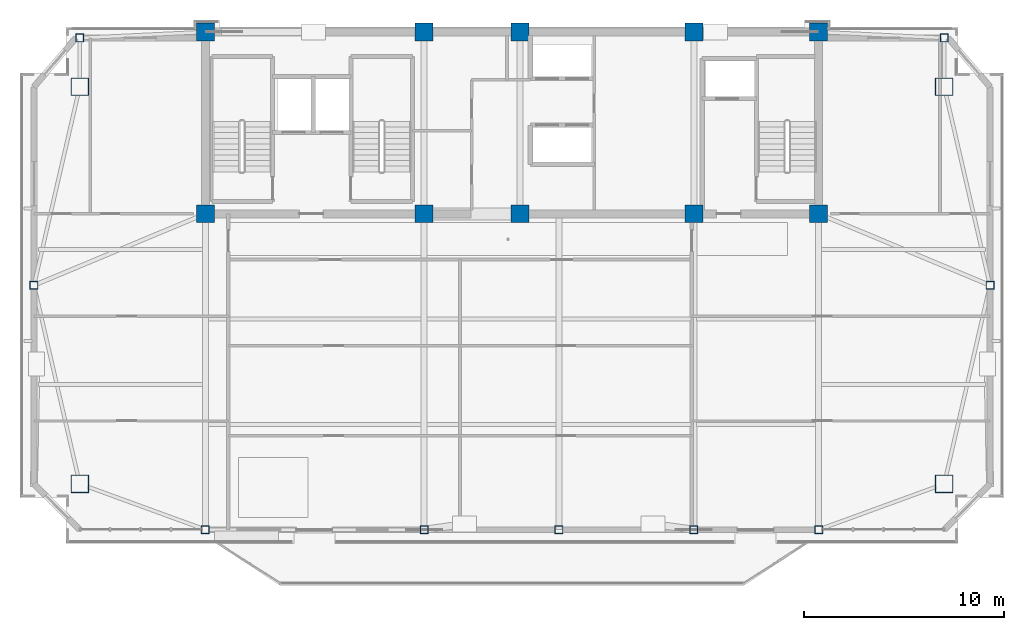
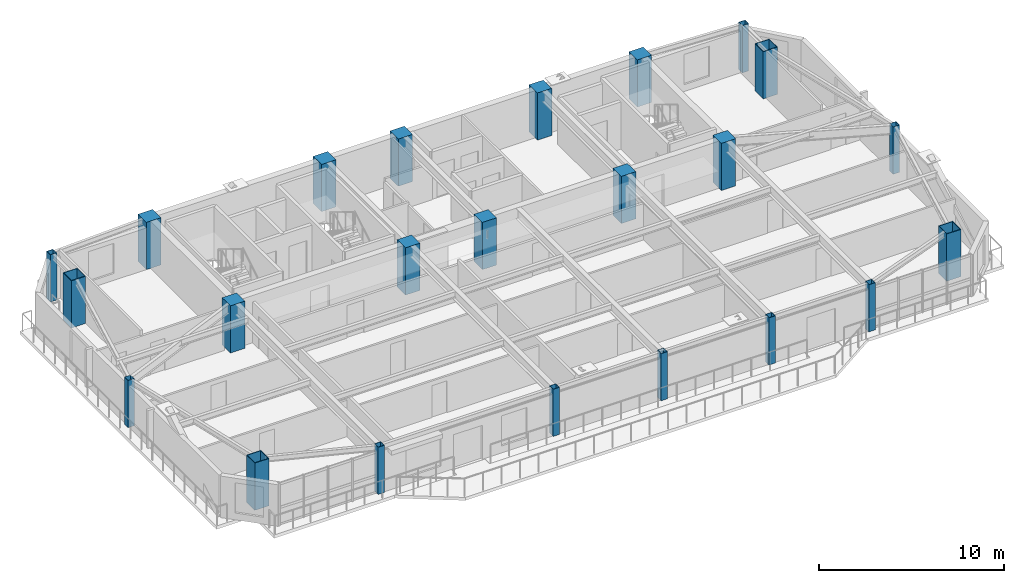
# One storey, part 1 of 13: 23 columns.
"""IFC4 building model written with IfcOpenShell, lengths in metres."""

from ifc_helpers import new_model, si_unit, direction, frame, origin, origin_2d, place, context, subcontext, project, spatial, rectangle, hollow_rectangle, extrude, source, transform, mapped, material, material_profile, profile_set, type_object, element, save


model = new_model("IFC4")

# Units and contexts
model_context = context("Model", 3, precision=1e-05, world=origin(), true_north=direction((0.0, 1.0)))
body_context = subcontext(model_context, "Body", "Model", "MODEL_VIEW")
ifc_project = project(units=[si_unit("LENGTHUNIT", "METRE"), si_unit("AREAUNIT", "SQUARE_METRE"), si_unit("VOLUMEUNIT", "CUBIC_METRE"), si_unit("PLANEANGLEUNIT", "RADIAN"), si_unit("MASSUNIT", "GRAM", prefix="KILO")], contexts=[model_context])

# Site, building, storey
site_placement = place(None, origin())
site = spatial("IfcSite", under=ifc_project, at=site_placement, CompositionType="ELEMENT")
building_placement = place(site_placement, origin())
building = spatial("IfcBuilding", under=site, at=building_placement, Name="Giltprow Tower", CompositionType="ELEMENT")
storey_placement = place(building_placement, frame((0.0, 0.0, 324.39990234375)))
storey = spatial("IfcBuildingStorey", under=building, at=storey_placement, Name="L84", CompositionType="ELEMENT", Elevation=324.39990234375)

# Columns
ifc_material_1 = material(Name="Concrete C45", Category="concrete")
ifc_material_profile_1 = material_profile(ifc_material_1, rectangle(XDim=0.89990234375, YDim=0.89990234375, at=origin_2d()), Name="RC 900x900")
ifc_profile_set_1 = profile_set([ifc_material_profile_1], Name="Concrete C45")
column_type_1 = type_object("IfcColumnType", Name="PIL-RC-900-C45", PredefinedType="PILASTER", material=ifc_profile_set_1)
shared_shape_1 = source(origin(), body_context, "Body", "SweptSolid", [
    extrude(rectangle(XDim=0.89990234375, YDim=0.89990234375, at=origin_2d()), origin(), (0.0, 0.0, 1.0), 3.1201171875),
])
for number, where, z_axis, x_axis, name in (
    (1, (19.85009765625, 37.449951171875, 0.0), (0.0, 0.0, 1.0), (1.0, 0.0, 0.0), "L84 Core Boundary Pilaster 1-1"),
    (2, (19.85009765625, 46.550048828125, 0.0), (0.0, 0.0, 1.0), (1.0, 0.0, 0.0), "L84 Core Boundary Pilaster 1-2"),
    (3, (30.800048828125, 37.449951171875, 0.0), (0.0, 0.0, 1.0), (1.0, 0.0, 0.0), "L84 Core Boundary Pilaster 2-1"),
    (4, (30.800048828125, 46.550048828125, 0.0), (0.0, 0.0, 1.0), (1.0, 0.0, 0.0), "L84 Core Boundary Pilaster 2-2"),
    (5, (35.60009765625, 37.449951171875, 0.0), (0.0, 0.0, 1.0), (1.0, 0.0, 0.0), "L84 Core Boundary Pilaster 3-1"),
    (6, (35.60009765625, 46.550048828125, 0.0), (0.0, 0.0, 1.0), (1.0, 0.0, 0.0), "L84 Core Boundary Pilaster 3-2"),
    (7, (44.300048828125, 37.449951171875, 0.0), (0.0, 0.0, 1.0), (1.0, 0.0, 0.0), "L84 Core Boundary Pilaster 4-1"),
    (8, (44.300048828125, 46.550048828125, 0.0), (0.0, 0.0, 1.0), (1.0, 0.0, 0.0), "L84 Core Boundary Pilaster 4-2"),
    (9, (50.550048828125, 37.449951171875, 0.0), (0.0, 0.0, 1.0), (1.0, 0.0, 0.0), "L84 Core Boundary Pilaster 5-1"),
    (10, (50.550048828125, 46.550048828125, 0.0), (0.0, 0.0, 1.0), (1.0, 0.0, 0.0), "L84 Core Boundary Pilaster 5-2"),
):
    element("IfcColumn", number, at=place(storey_placement, frame(where, z_axis=z_axis, x_axis=x_axis)), inside=storey, type_object=column_type_1, Name=name, PredefinedType="PILASTER", context=body_context, shape_type="MappedRepresentation", body=[
        mapped(shared_shape_1, transform((0.0, 0.0, 0.0), x_axis=(1.0, 0.0, 0.0), y_axis=(0.0, 1.0, 0.0), z_axis=(0.0, 0.0, 1.0), scale=1.0)),
    ])
ifc_material_2 = material(Name="Structural steel Q420GJC", Category="steel")
ifc_material_profile_2 = material_profile(ifc_material_2, hollow_rectangle(XDim=0.89990234375, YDim=0.89990234375, WallThickness=0.0400390625, at=origin_2d()), Name="BOX 900x900x40")
ifc_profile_set_2 = profile_set([ifc_material_profile_2], Name="Structural steel Q420GJC")
column_type_2 = type_object("IfcColumnType", Name="COL-BOX-900x900x40", PredefinedType="COLUMN", material=ifc_profile_set_2)
shared_shape_2 = source(origin(), body_context, "Body", "SweptSolid", [
    extrude(hollow_rectangle(XDim=0.89990234375, YDim=0.89990234375, WallThickness=0.0400390625, at=origin_2d()), origin(), (0.0, 0.0, 1.0), 3.1201171875),
])
for number, where, z_axis, x_axis, name in (
    (11, (13.56201171875, 23.927978515625, 0.0), (0.0, 0.0, 1.0), (1.0, 0.0, 0.0), "L84 Mega-Column MC_SW"),
    (12, (56.839111328125, 23.927978515625, 0.0), (0.0, 0.0, 1.0), (1.0, 0.0, 0.0), "L84 Mega-Column MC_SE"),
    (13, (13.56201171875, 43.80810546875, 0.0), (0.0, 0.0, 1.0), (1.0, 0.0, 0.0), "L84 Mega-Column MC_NW"),
    (14, (56.839111328125, 43.80810546875, 0.0), (0.0, 0.0, 1.0), (1.0, 0.0, 0.0), "L84 Mega-Column MC_NE"),
):
    element("IfcColumn", number, at=place(storey_placement, frame(where, z_axis=z_axis, x_axis=x_axis)), inside=storey, type_object=column_type_2, Name=name, PredefinedType="COLUMN", context=body_context, shape_type="MappedRepresentation", body=[
        mapped(shared_shape_2, transform((0.0, 0.0, 0.0), x_axis=(1.0, 0.0, 0.0), y_axis=(0.0, 1.0, 0.0), z_axis=(0.0, 0.0, 1.0), scale=1.0)),
    ])
ifc_material_3 = material(Name="Structural steel Q355B", Category="steel")
ifc_material_profile_3 = material_profile(ifc_material_3, hollow_rectangle(XDim=0.39990234375, YDim=0.39990234375, WallThickness=0.02001953125, at=origin_2d()), Name="BOX 400x400x20")
ifc_profile_set_3 = profile_set([ifc_material_profile_3], Name="Structural steel Q355B")
column_type_3 = type_object("IfcColumnType", Name="COL-BOX-400x400x20", PredefinedType="COLUMN", material=ifc_profile_set_3)
shared_shape_3 = source(origin(), body_context, "Body", "SweptSolid", [
    extrude(hollow_rectangle(XDim=0.39990234375, YDim=0.39990234375, WallThickness=0.02001953125, at=origin_2d()), origin(), (0.0, 0.0, 1.0), 3.1201171875),
])
for number, where, z_axis, x_axis, name in (
    (15, (19.85009765625, 21.635986328125, 0.0), (0.0, 0.0, 1.0), (1.0, 0.0, 0.0), "L84 Perimeter Column S1"),
    (16, (30.800048828125, 21.635986328125, 0.0), (0.0, 0.0, 1.0), (1.0, 0.0, 0.0), "L84 Perimeter Column S2"),
    (17, (37.550048828125, 21.635986328125, 0.0), (0.0, 0.0, 1.0), (1.0, 0.0, 0.0), "L84 Perimeter Column S_MID"),
    (18, (44.300048828125, 21.635986328125, 0.0), (0.0, 0.0, 1.0), (1.0, 0.0, 0.0), "L84 Perimeter Column S3"),
    (19, (50.550048828125, 21.635986328125, 0.0), (0.0, 0.0, 1.0), (1.0, 0.0, 0.0), "L84 Perimeter Column S4"),
    (20, (11.27001953125, 33.867919921875, 0.0), (0.0, 0.0, 1.0), (1.0, 0.0, 0.0), "L84 Perimeter Column W_MID"),
    (21, (59.131103515625, 33.867919921875, 0.0), (0.0, 0.0, 1.0), (1.0, 0.0, 0.0), "L84 Perimeter Column E_MID"),
    (22, (13.56201171875, 46.25, 0.0), (0.0, 0.0, 1.0), (1.0, 0.0, 0.0), "L84 Perimeter Column N_W"),
    (23, (56.839111328125, 46.25, 0.0), (0.0, 0.0, 1.0), (1.0, 0.0, 0.0), "L84 Perimeter Column N_E"),
):
    element("IfcColumn", number, at=place(storey_placement, frame(where, z_axis=z_axis, x_axis=x_axis)), inside=storey, type_object=column_type_3, Name=name, PredefinedType="COLUMN", context=body_context, shape_type="MappedRepresentation", body=[
        mapped(shared_shape_3, transform((0.0, 0.0, 0.0), x_axis=(1.0, 0.0, 0.0), y_axis=(0.0, 1.0, 0.0), z_axis=(0.0, 0.0, 1.0), scale=1.0)),
    ])

save(model, "model.ifc")
